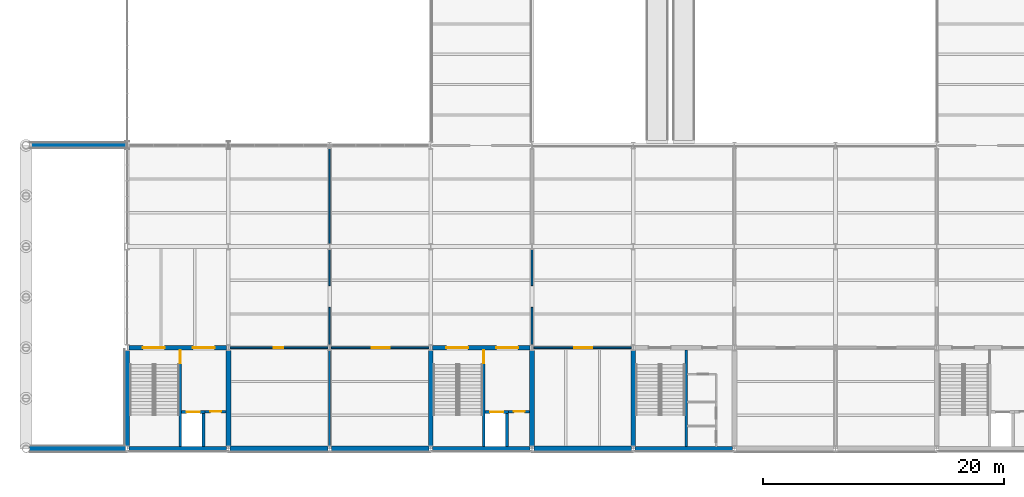
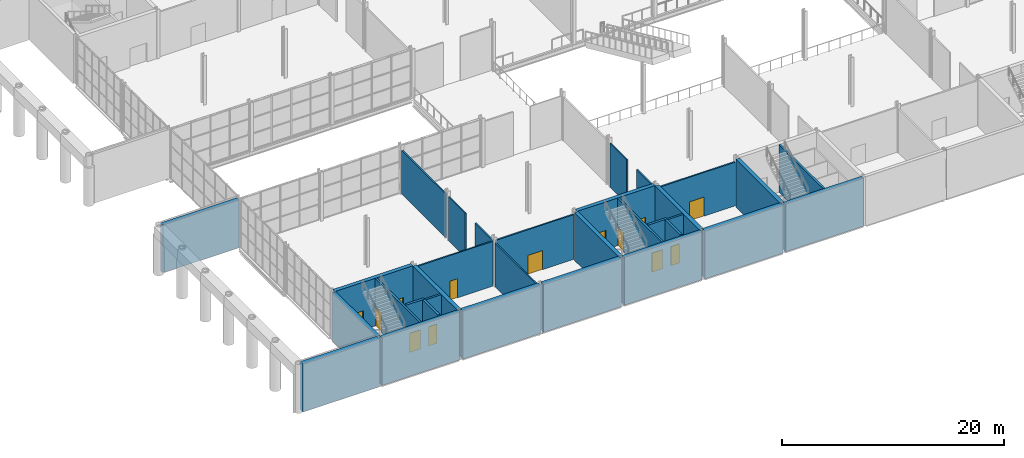
# One storey, part 39 of 64: 33 walls, 13 doors, 13 openings.
"""IFC4 building model written with IfcOpenShell, lengths in metres."""

from ifc_helpers import new_model, si_unit, direction, frame, frame_2d, origin, place, context, subcontext, project, spatial, rectangle, extrude, material, layer, layer_set, type_object, element, fill, save


model = new_model("IFC4")

# Units and contexts
model_context = context("Model", 3, precision=1e-05, world=origin(), true_north=direction((0.0, 1.0)))
body_context = subcontext(model_context, "Body", "Model", "MODEL_VIEW")
ifc_project = project(units=[si_unit("LENGTHUNIT", "METRE"), si_unit("AREAUNIT", "SQUARE_METRE"), si_unit("VOLUMEUNIT", "CUBIC_METRE"), si_unit("PLANEANGLEUNIT", "RADIAN"), si_unit("MASSUNIT", "GRAM", prefix="KILO")], contexts=[model_context])

# Site, building, storey
site_placement = place(None, origin())
site = spatial("IfcSite", under=ifc_project, at=site_placement, CompositionType="ELEMENT")
building_placement = place(site_placement, origin())
building = spatial("IfcBuilding", under=site, at=building_placement, Name="Galleria Vessillo Department Store", CompositionType="ELEMENT")
storey_placement = place(building_placement, frame((0.0, 0.0, 6.0)))
storey = spatial("IfcBuildingStorey", under=building, at=storey_placement, Name="L01", CompositionType="ELEMENT", Elevation=6.0)

# Wall, opening, door
ifc_material_1 = material(Name="Solid clay block masonry", Category="masonry")
ifc_layer_1 = layer(ifc_material_1, 0.25)
ifc_layer_set_1 = layer_set([ifc_layer_1], Name="Solid clay block masonry")
wall_type_1 = type_object("IfcWallType", Name="Lift shaft wall 250 mm", PredefinedType="SOLIDWALL", material=ifc_layer_set_1)
wall_1_placement = place(storey_placement, frame((12.89990234375, 3.074951171875, 0.0), z_axis=(0.0, 0.0, 1.0), x_axis=(1.0, 0.0, 0.0)))
wall_1 = element("IfcWall", 1, at=wall_1_placement, inside=storey, type_object=wall_type_1, Name="Lift shaft wall LP1 landing side L01", PredefinedType="SOLIDWALL", context=body_context, shape_type="SweptSolid", body=[
    extrude(rectangle(XDim=1.9501953125, YDim=0.25, at=frame_2d((0.97509765625, 0.0))), origin(), (0.0, 0.0, 1.0), 5.39990234375),
])
opening_1_placement = place(wall_1_placement, frame((0.425048828125, 0.0, 0.0)))
opening_1 = element("IfcOpeningElement", 2, at=opening_1_placement, cuts=wall_1, Name="Opening LD004", PredefinedType="OPENING", context=body_context, shape_type="SweptSolid", body=[
    extrude(rectangle(XDim=1.10009765625, YDim=2.10009765625, at=frame_2d((0.550048828125, 1.050048828125))), frame((0.0, 0.135009765625, 0.0), z_axis=(0.0, -1.0, 0.0), x_axis=(1.0, 0.0, 0.0)), (0.0, 0.0, 1.0), 0.27001953125),
])
ifc_material_2 = material(Name="Stainless steel lift door panel", Category="steel")
door_type_1 = type_object("IfcDoorType", Name="Lift landing door LD110 sliding 1100 x 2100", OperationType="SLIDING_TO_LEFT", PredefinedType="DOOR", material=ifc_material_2)
door_1_placement = place(opening_1_placement, origin())
door_1 = element("IfcDoor", 3, at=door_1_placement, inside=storey, type_object=door_type_1, Name="Lift landing door LP1 L01", OperationType="SLIDING_TO_LEFT", OverallHeight=2.10009765625, OverallWidth=1.10009765625, PredefinedType="DOOR", context=body_context, shape_type="SweptSolid", body=[
    extrude(rectangle(XDim=1.10009765625, YDim=2.10009765625, at=frame_2d((0.550048828125, 1.050048828125))), frame((0.0, 0.02490234375, 0.0), z_axis=(0.0, -1.0, 0.0), x_axis=(1.0, 0.0, 0.0)), (0.0, 0.0, 1.0), 0.050048828125),
])
fill(opening_1, door_1)

# Wall
wall_2_placement = place(storey_placement, frame((14.72509765625, 0.199951171875, 0.0), z_axis=(0.0, 0.0, 1.0), x_axis=(0.0, 1.0, 0.0)))
element("IfcWall", 4, at=wall_2_placement, inside=storey, type_object=wall_type_1, Name="Lift shaft wall LP1 L01", PredefinedType="SOLIDWALL", context=body_context, shape_type="SweptSolid", body=[
    extrude(rectangle(XDim=2.75, YDim=0.25, at=frame_2d((1.375, 0.0))), origin(), (0.0, 0.0, 1.0), 5.39990234375),
])

# Wall, opening, door
wall_3_placement = place(storey_placement, frame((38.10009765625, 3.074951171875, 0.0), z_axis=(0.0, 0.0, 1.0), x_axis=(1.0, 0.0, 0.0)))
wall_3 = element("IfcWall", 5, at=wall_3_placement, inside=storey, type_object=wall_type_1, Name="Lift shaft wall LP3 landing side L01", PredefinedType="SOLIDWALL", context=body_context, shape_type="SweptSolid", body=[
    extrude(rectangle(XDim=1.949951171875, YDim=0.25, at=frame_2d((0.97509765625, 0.0))), origin(), (0.0, 0.0, 1.0), 5.39990234375),
])
opening_2_placement = place(wall_3_placement, frame((0.4248046875, 0.0, 0.0)))
opening_2 = element("IfcOpeningElement", 6, at=opening_2_placement, cuts=wall_3, Name="Opening LD020", PredefinedType="OPENING", context=body_context, shape_type="SweptSolid", body=[
    extrude(rectangle(XDim=1.10009765625, YDim=2.10009765625, at=frame_2d((0.550048828125, 1.050048828125))), frame((0.0, 0.135009765625, 0.0), z_axis=(0.0, -1.0, 0.0), x_axis=(1.0, 0.0, 0.0)), (0.0, 0.0, 1.0), 0.27001953125),
])
door_2_placement = place(opening_2_placement, origin())
door_2 = element("IfcDoor", 7, at=door_2_placement, inside=storey, type_object=door_type_1, Name="Lift landing door LP3 L01", OperationType="SLIDING_TO_LEFT", OverallHeight=2.10009765625, OverallWidth=1.10009765625, PredefinedType="DOOR", context=body_context, shape_type="SweptSolid", body=[
    extrude(rectangle(XDim=1.10009765625, YDim=2.10009765625, at=frame_2d((0.550048828125, 1.050048828125))), frame((0.0, 0.02490234375, 0.0), z_axis=(0.0, -1.0, 0.0), x_axis=(1.0, 0.0, 0.0)), (0.0, 0.0, 1.0), 0.050048828125),
])
fill(opening_2, door_2)

# Walls
wall_4_placement = place(storey_placement, frame((39.925048828125, 0.199951171875, 0.0), z_axis=(0.0, 0.0, 1.0), x_axis=(0.0, 1.0, 0.0)))
element("IfcWall", 8, at=wall_4_placement, inside=storey, type_object=wall_type_1, Name="Lift shaft wall LP3 L01", PredefinedType="SOLIDWALL", context=body_context, shape_type="SweptSolid", body=[
    extrude(rectangle(XDim=2.75, YDim=0.25, at=frame_2d((1.375, 0.0))), origin(), (0.0, 0.0, 1.0), 5.39990234375),
])
ifc_material_3 = material(Name="Reinforced masonry, Ceppo di Gre units 80 MPa", Category="masonry")
ifc_layer_2 = layer(ifc_material_3, 0.39990234375)
ifc_layer_set_2 = layer_set([ifc_layer_2], Name="Reinforced masonry, Ceppo di Gre units 80 MPa")
wall_type_2 = type_object("IfcWallType", Name="Load-bearing Ceppo di Gre pier wall 400 mm", PredefinedType="STANDARD", material=ifc_layer_set_2)
wall_5_placement = place(storey_placement, frame((0.304931640625, 25.199951171875, 0.0), z_axis=(0.0, 0.0, 1.0), x_axis=(1.0, 0.0, 0.0)))
element("IfcWall", 9, at=wall_5_placement, inside=storey, type_object=wall_type_2, Name="Load-bearing Ceppo di Gre pier wall 400 mm PW-S-L01-01", PredefinedType="STANDARD", context=body_context, shape_type="SweptSolid", body=[
    extrude(rectangle(XDim=7.9423828125, YDim=0.39990234375, at=frame_2d((3.97119140625, 0.0))), origin(), (0.0, 0.0, 1.0), 5.25),
])

# Wall, openings, doors
ifc_material_4 = material(Name="Concrete C32/40 reinforced", Category="concrete")
ifc_layer_3 = layer(ifc_material_4, 0.39990234375)
ifc_layer_set_3 = layer_set([ifc_layer_3], Name="Concrete C32/40 reinforced")
wall_type_3 = type_object("IfcWallType", Name="Reinforced concrete core wall 400 mm", PredefinedType="SHEAR", material=ifc_layer_set_3)
wall_6_placement = place(storey_placement, frame((8.5498046875, 8.39990234375, 0.0), z_axis=(0.0, 0.0, 1.0), x_axis=(1.0, 0.0, 0.0)))
wall_6 = element("IfcWall", 10, at=wall_6_placement, inside=storey, type_object=wall_type_3, Name="S-CW-PC-SW-INTERIOR-L01", PredefinedType="SHEAR", context=body_context, shape_type="SweptSolid", body=[
    extrude(rectangle(XDim=8.100341796875, YDim=0.39990234375, at=frame_2d((4.05029296875, 0.0))), origin(), (0.0, 0.0, 1.0), 5.25),
])
opening_3_placement = place(wall_6_placement, frame((1.150146484375, 0.0, 0.0)))
opening_3 = element("IfcOpeningElement", 11, at=opening_3_placement, cuts=wall_6, Name="Opening D5015", PredefinedType="OPENING", context=body_context, shape_type="SweptSolid", body=[
    extrude(rectangle(XDim=1.800048828125, YDim=2.10009765625, at=frame_2d((0.89990234375, 1.050048828125))), frame((0.0, 0.2099609375, 0.0), z_axis=(0.0, -1.0, 0.0), x_axis=(1.0, 0.0, 0.0)), (0.0, 0.0, 1.0), 0.419921875),
])
opening_4_placement = place(wall_6_placement, frame((5.300048828125, 0.0, 0.0)))
opening_4 = element("IfcOpeningElement", 12, at=opening_4_placement, cuts=wall_6, Name="Opening D5016", PredefinedType="OPENING", context=body_context, shape_type="SweptSolid", body=[
    extrude(rectangle(XDim=1.800048828125, YDim=2.10009765625, at=frame_2d((0.89990234375, 1.050048828125))), frame((0.0, 0.2099609375, 0.0), z_axis=(0.0, -1.0, 0.0), x_axis=(1.0, 0.0, 0.0)), (0.0, 0.0, 1.0), 0.419921875),
])
ifc_material_5 = material(Name="Fire-rated steel door leaf", Category="steel")
door_type_2 = type_object("IfcDoorType", Name="Door D180F double leaf 1800 x 2100", OperationType="DOUBLE_DOOR_SINGLE_SWING", PredefinedType="DOOR", material=ifc_material_5)
door_3_placement = place(opening_3_placement, frame((1.800048828125, 0.0, 0.0), z_axis=(0.0, 0.0, 1.0), x_axis=(-1.0, 0.0, 0.0)))
door_3 = element("IfcDoor", 13, at=door_3_placement, inside=storey, type_object=door_type_2, Name="Lobby door PC-SW-ST-FLOOR L01", OperationType="DOUBLE_DOOR_SINGLE_SWING", OverallHeight=2.10009765625, OverallWidth=1.800048828125, PredefinedType="DOOR", context=body_context, shape_type="SweptSolid", body=[
    extrude(rectangle(XDim=1.800048828125, YDim=2.10009765625, at=frame_2d((0.89990234375, 1.050048828125))), frame((0.0, 0.02490234375, 0.0), z_axis=(0.0, -1.0, 0.0), x_axis=(1.0, 0.0, 0.0)), (0.0, 0.0, 1.0), 0.050048828125),
])
fill(opening_3, door_3)
door_4_placement = place(opening_4_placement, frame((1.800048828125, 0.0, 0.0), z_axis=(0.0, 0.0, 1.0), x_axis=(-1.0, 0.0, 0.0)))
door_4 = element("IfcDoor", 14, at=door_4_placement, inside=storey, type_object=door_type_2, Name="Lobby door PC-SW-LOBBY-FLOOR L01", OperationType="DOUBLE_DOOR_SINGLE_SWING", OverallHeight=2.10009765625, OverallWidth=1.800048828125, PredefinedType="DOOR", context=body_context, shape_type="SweptSolid", body=[
    extrude(rectangle(XDim=1.800048828125, YDim=2.10009765625, at=frame_2d((0.89990234375, 1.050048828125))), frame((0.0, 0.02490234375, 0.0), z_axis=(0.0, -1.0, 0.0), x_axis=(1.0, 0.0, 0.0)), (0.0, 0.0, 1.0), 0.050048828125),
])
fill(opening_4, door_4)

# Wall
wall_7_placement = place(storey_placement, frame((16.800048828125, 0.25, 0.0), z_axis=(0.0, 0.0, 1.0), x_axis=(0.0, 1.0, 0.0)))
element("IfcWall", 15, at=wall_7_placement, inside=storey, type_object=wall_type_3, Name="S-CW-PC-SW-EAST-L01", PredefinedType="SHEAR", context=body_context, shape_type="SweptSolid", body=[
    extrude(rectangle(XDim=7.89990234375, YDim=0.39990234375, at=frame_2d((3.949951171875, 0.0))), origin(), (0.0, 0.0, 1.0), 5.25),
])

# Wall, openings, doors
wall_8_placement = place(storey_placement, frame((33.75, 8.39990234375, 0.0), z_axis=(0.0, 0.0, 1.0), x_axis=(1.0, 0.0, 0.0)))
wall_8 = element("IfcWall", 16, at=wall_8_placement, inside=storey, type_object=wall_type_3, Name="S-CW-PC-SM-INTERIOR-L01", PredefinedType="SHEAR", context=body_context, shape_type="SweptSolid", body=[
    extrude(rectangle(XDim=8.10009765625, YDim=0.39990234375, at=frame_2d((4.050048828125, 0.0))), origin(), (0.0, 0.0, 1.0), 5.25),
])
opening_5_placement = place(wall_8_placement, frame((1.14990234375, 0.0, 0.0)))
opening_5 = element("IfcOpeningElement", 17, at=opening_5_placement, cuts=wall_8, Name="Opening D5078", PredefinedType="OPENING", context=body_context, shape_type="SweptSolid", body=[
    extrude(rectangle(XDim=1.800048828125, YDim=2.10009765625, at=frame_2d((0.89990234375, 1.050048828125))), frame((0.0, 0.2099609375, 0.0), z_axis=(0.0, -1.0, 0.0), x_axis=(1.0, 0.0, 0.0)), (0.0, 0.0, 1.0), 0.419921875),
])
opening_6_placement = place(wall_8_placement, frame((5.2998046875, 0.0, 0.0)))
opening_6 = element("IfcOpeningElement", 18, at=opening_6_placement, cuts=wall_8, Name="Opening D5079", PredefinedType="OPENING", context=body_context, shape_type="SweptSolid", body=[
    extrude(rectangle(XDim=1.800048828125, YDim=2.10009765625, at=frame_2d((0.89990234375, 1.050048828125))), frame((0.0, 0.2099609375, 0.0), z_axis=(0.0, -1.0, 0.0), x_axis=(1.0, 0.0, 0.0)), (0.0, 0.0, 1.0), 0.419921875),
])
door_5_placement = place(opening_5_placement, frame((1.800048828125, 0.0, 0.0), z_axis=(0.0, 0.0, 1.0), x_axis=(-1.0, 0.0, 0.0)))
door_5 = element("IfcDoor", 19, at=door_5_placement, inside=storey, type_object=door_type_2, Name="Lobby door PC-SM-ST-FLOOR L01", OperationType="DOUBLE_DOOR_SINGLE_SWING", OverallHeight=2.10009765625, OverallWidth=1.800048828125, PredefinedType="DOOR", context=body_context, shape_type="SweptSolid", body=[
    extrude(rectangle(XDim=1.800048828125, YDim=2.10009765625, at=frame_2d((0.89990234375, 1.050048828125))), frame((0.0, 0.02490234375, 0.0), z_axis=(0.0, -1.0, 0.0), x_axis=(1.0, 0.0, 0.0)), (0.0, 0.0, 1.0), 0.050048828125),
])
fill(opening_5, door_5)
door_6_placement = place(opening_6_placement, frame((1.800048828125, 0.0, 0.0), z_axis=(0.0, 0.0, 1.0), x_axis=(-1.0, 0.0, 0.0)))
door_6 = element("IfcDoor", 20, at=door_6_placement, inside=storey, type_object=door_type_2, Name="Lobby door PC-SM-LOBBY-FLOOR L01", OperationType="DOUBLE_DOOR_SINGLE_SWING", OverallHeight=2.10009765625, OverallWidth=1.800048828125, PredefinedType="DOOR", context=body_context, shape_type="SweptSolid", body=[
    extrude(rectangle(XDim=1.800048828125, YDim=2.10009765625, at=frame_2d((0.89990234375, 1.050048828125))), frame((0.0, 0.02490234375, 0.0), z_axis=(0.0, -1.0, 0.0), x_axis=(1.0, 0.0, 0.0)), (0.0, 0.0, 1.0), 0.050048828125),
])
fill(opening_6, door_6)

# Walls
for number, where, z_axis, x_axis, name in (
    (21, (33.60009765625, 0.25, 0.0), (0.0, 0.0, 1.0), (0.0, 1.0, 0.0), "S-CW-PC-SM-WEST-L01"),
    (22, (42.0, 0.25, 0.0), (0.0, 0.0, 1.0), (0.0, 1.0, 0.0), "S-CW-PC-SM-EAST-L01"),
    (23, (50.39990234375, 0.25, 0.0), (0.0, 0.0, 1.0), (0.0, 1.0, 0.0), "S-CW-PC-SC-WEST-L01"),
):
    element("IfcWall", number, at=place(storey_placement, frame(where, z_axis=z_axis, x_axis=x_axis)), inside=storey, type_object=wall_type_3, Name=name, PredefinedType="SHEAR", context=body_context, shape_type="SweptSolid", body=[
        extrude(rectangle(XDim=7.89990234375, YDim=0.39990234375, at=frame_2d((3.949951171875, 0.0))), origin(), (0.0, 0.0, 1.0), 5.25),
    ])
ifc_material_6 = material(Name="Concrete C32/40 reinforced", Category="concrete")
ifc_layer_4 = layer(ifc_material_6, 0.39990234375)
ifc_layer_set_4 = layer_set([ifc_layer_4], Name="Concrete C32/40 reinforced")
wall_type_4 = type_object("IfcWallType", Name="Reinforced concrete core wall 400 mm, external", PredefinedType="SHEAR", material=ifc_layer_set_4)
wall_9_placement = place(storey_placement, frame((8.5498046875, 0.0, 0.0), z_axis=(0.0, 0.0, 1.0), x_axis=(1.0, 0.0, 0.0)))
element("IfcWall", 24, at=wall_9_placement, inside=storey, type_object=wall_type_4, Name="S-CW-PC-SW-PARTY-L01", PredefinedType="SHEAR", context=body_context, shape_type="SweptSolid", body=[
    extrude(rectangle(XDim=8.100341796875, YDim=0.39990234375, at=frame_2d((4.05029296875, 0.0))), origin(), (0.0, 0.0, 1.0), 5.25),
])
wall_10_placement = place(storey_placement, frame((8.39990234375, 0.25, 0.0), z_axis=(0.0, 0.0, 1.0), x_axis=(0.0, 1.0, 0.0)))
element("IfcWall", 25, at=wall_10_placement, inside=storey, type_object=wall_type_4, Name="S-CW-PC-SW-WEST-L01", PredefinedType="SHEAR", context=body_context, shape_type="SweptSolid", body=[
    extrude(rectangle(XDim=7.89990234375, YDim=0.39990234375, at=frame_2d((3.949951171875, 0.0))), origin(), (0.0, 0.0, 1.0), 5.25),
])
wall_11_placement = place(storey_placement, frame((33.75, 0.0, 0.0), z_axis=(0.0, 0.0, 1.0), x_axis=(1.0, 0.0, 0.0)))
element("IfcWall", 26, at=wall_11_placement, inside=storey, type_object=wall_type_4, Name="S-CW-PC-SM-PARTY-L01", PredefinedType="SHEAR", context=body_context, shape_type="SweptSolid", body=[
    extrude(rectangle(XDim=8.10009765625, YDim=0.39990234375, at=frame_2d((4.050048828125, 0.0))), origin(), (0.0, 0.0, 1.0), 5.25),
])
wall_12_placement = place(storey_placement, frame((50.5498046875, 0.0, 0.0), z_axis=(0.0, 0.0, 1.0), x_axis=(1.0, 0.0, 0.0)))
element("IfcWall", 27, at=wall_12_placement, inside=storey, type_object=wall_type_4, Name="S-CW-PC-SC-PARTY-L01", PredefinedType="SHEAR", context=body_context, shape_type="SweptSolid", body=[
    extrude(rectangle(XDim=8.100341796875, YDim=0.39990234375, at=frame_2d((4.05029296875, 0.0))), origin(), (0.0, 0.0, 1.0), 5.25),
])
ifc_material_7 = material(Name="Concrete C32/40 reinforced", Category="concrete")
ifc_layer_5 = layer(ifc_material_7, 0.5)
ifc_layer_set_5 = layer_set([ifc_layer_5], Name="Concrete C32/40 reinforced")
wall_type_5 = type_object("IfcWallType", Name="Reinforced concrete party wall 500 mm", PredefinedType="SHEAR", material=ifc_layer_set_5)
wall_13_placement = place(storey_placement, frame((0.304931640625, 0.0, 0.0), z_axis=(0.0, 0.0, 1.0), x_axis=(1.0, 0.0, 0.0)))
element("IfcWall", 28, at=wall_13_placement, inside=storey, type_object=wall_type_5, Name="S-PS-L01-01", PredefinedType="SHEAR", context=body_context, shape_type="SweptSolid", body=[
    extrude(rectangle(XDim=7.945068359375, YDim=0.5, at=frame_2d((3.97265625, 0.0))), origin(), (0.0, 0.0, 1.0), 5.25),
])
wall_14_placement = place(storey_placement, frame((16.949951171875, 0.0, 0.0), z_axis=(0.0, 0.0, 1.0), x_axis=(1.0, 0.0, 0.0)))
element("IfcWall", 29, at=wall_14_placement, inside=storey, type_object=wall_type_5, Name="S-PS-L01-02", PredefinedType="SHEAR", context=body_context, shape_type="SweptSolid", body=[
    extrude(rectangle(XDim=8.10009765625, YDim=0.5, at=frame_2d((4.050048828125, 0.0))), origin(), (0.0, 0.0, 1.0), 5.25),
])
wall_15_placement = place(storey_placement, frame((25.349853515625, 0.0, 0.0), z_axis=(0.0, 0.0, 1.0), x_axis=(1.0, 0.0, 0.0)))
element("IfcWall", 30, at=wall_15_placement, inside=storey, type_object=wall_type_5, Name="S-PS-L01-03", PredefinedType="SHEAR", context=body_context, shape_type="SweptSolid", body=[
    extrude(rectangle(XDim=8.100341796875, YDim=0.5, at=frame_2d((4.05029296875, 0.0))), origin(), (0.0, 0.0, 1.0), 5.25),
])
wall_16_placement = place(storey_placement, frame((42.14990234375, 0.0, 0.0), z_axis=(0.0, 0.0, 1.0), x_axis=(1.0, 0.0, 0.0)))
element("IfcWall", 31, at=wall_16_placement, inside=storey, type_object=wall_type_5, Name="S-PS-L01-04", PredefinedType="SHEAR", context=body_context, shape_type="SweptSolid", body=[
    extrude(rectangle(XDim=8.10009765625, YDim=0.5, at=frame_2d((4.050048828125, 0.0))), origin(), (0.0, 0.0, 1.0), 5.25),
])

# Wall, opening, door
ifc_material_8 = material(Name="Concrete C32/40 reinforced", Category="concrete")
ifc_layer_6 = layer(ifc_material_8, 0.199951171875)
ifc_layer_set_6 = layer_set([ifc_layer_6], Name="Concrete C32/40 reinforced")
wall_type_6 = type_object("IfcWallType", Name="Reinforced concrete stair enclosure wall 200 mm", PredefinedType="SHEAR", material=ifc_layer_set_6)
wall_17_placement = place(storey_placement, frame((12.7998046875, 0.199951171875, 0.0), z_axis=(0.0, 0.0, 1.0), x_axis=(0.0, 1.0, 0.0)))
wall_17 = element("IfcWall", 32, at=wall_17_placement, inside=storey, type_object=wall_type_6, Name="Stair enclosure wall PC-SW L01", PredefinedType="SHEAR", context=body_context, shape_type="SweptSolid", body=[
    extrude(rectangle(XDim=8.0, YDim=0.199951171875, at=frame_2d((4.0, 0.0))), origin(), (0.0, 0.0, 1.0), 5.25),
])
opening_7_placement = place(wall_17_placement, frame((6.89990234375, 0.0, 0.0)))
opening_7 = element("IfcOpeningElement", 33, at=opening_7_placement, cuts=wall_17, Name="Opening D5013", PredefinedType="OPENING", context=body_context, shape_type="SweptSolid", body=[
    extrude(rectangle(XDim=1.11009765625, YDim=2.10009765625, at=frame_2d((0.554931640625, 1.050048828125))), frame((0.0, 0.10986328125, 0.0), z_axis=(0.0, -1.0, 0.0), x_axis=(1.0, 0.0, 0.0)), (0.0, 0.0, 1.0), 0.219970703125),
])
ifc_material_9 = material(Name="Fire-rated steel door leaf", Category="steel")
door_type_3 = type_object("IfcDoorType", Name="Door D110F stair door 1100 x 2100", OperationType="SINGLE_SWING_LEFT", PredefinedType="DOOR", material=ifc_material_9)
door_7_placement = place(opening_7_placement, origin())
door_7 = element("IfcDoor", 34, at=door_7_placement, inside=storey, type_object=door_type_3, Name="Stair door PC-SW-ST-LOBBY L01", OperationType="SINGLE_SWING_RIGHT", OverallHeight=2.10009765625, OverallWidth=1.10009765625, PredefinedType="DOOR", context=body_context, shape_type="SweptSolid", body=[
    extrude(rectangle(XDim=1.10009765625, YDim=2.10009765625, at=frame_2d((0.550048828125, 1.050048828125))), frame((0.0, 0.02490234375, 0.0), z_axis=(0.0, -1.0, 0.0), x_axis=(1.0, 0.0, 0.0)), (0.0, 0.0, 1.0), 0.050048828125),
])
fill(opening_7, door_7)

wall_18_placement = place(storey_placement, frame((38.0, 0.199951171875, 0.0), z_axis=(0.0, 0.0, 1.0), x_axis=(0.0, 1.0, 0.0)))
wall_18 = element("IfcWall", 35, at=wall_18_placement, inside=storey, type_object=wall_type_6, Name="Stair enclosure wall PC-SM L01", PredefinedType="SHEAR", context=body_context, shape_type="SweptSolid", body=[
    extrude(rectangle(XDim=8.0, YDim=0.199951171875, at=frame_2d((4.0, 0.0))), origin(), (0.0, 0.0, 1.0), 5.25),
])
opening_8_placement = place(wall_18_placement, frame((6.89990234375, 0.0, 0.0)))
opening_8 = element("IfcOpeningElement", 36, at=opening_8_placement, cuts=wall_18, Name="Opening D5076", PredefinedType="OPENING", context=body_context, shape_type="SweptSolid", body=[
    extrude(rectangle(XDim=1.11009765625, YDim=2.10009765625, at=frame_2d((0.554931640625, 1.050048828125))), frame((0.0, 0.10986328125, 0.0), z_axis=(0.0, -1.0, 0.0), x_axis=(1.0, 0.0, 0.0)), (0.0, 0.0, 1.0), 0.219970703125),
])
door_8_placement = place(opening_8_placement, origin())
door_8 = element("IfcDoor", 37, at=door_8_placement, inside=storey, type_object=door_type_3, Name="Stair door PC-SM-ST-LOBBY L01", OperationType="SINGLE_SWING_RIGHT", OverallHeight=2.10009765625, OverallWidth=1.10009765625, PredefinedType="DOOR", context=body_context, shape_type="SweptSolid", body=[
    extrude(rectangle(XDim=1.10009765625, YDim=2.10009765625, at=frame_2d((0.550048828125, 1.050048828125))), frame((0.0, 0.02490234375, 0.0), z_axis=(0.0, -1.0, 0.0), x_axis=(1.0, 0.0, 0.0)), (0.0, 0.0, 1.0), 0.050048828125),
])
fill(opening_8, door_8)

# Wall
wall_19_placement = place(storey_placement, frame((54.7998046875, 0.199951171875, 0.0), z_axis=(0.0, 0.0, 1.0), x_axis=(0.0, 1.0, 0.0)))
element("IfcWall", 38, at=wall_19_placement, inside=storey, type_object=wall_type_6, Name="Stair enclosure wall PC-SC L01", PredefinedType="SHEAR", context=body_context, shape_type="SweptSolid", body=[
    extrude(rectangle(XDim=8.0, YDim=0.199951171875, at=frame_2d((4.0, 0.0))), origin(), (0.0, 0.0, 1.0), 5.25),
])

# Wall, opening, door
ifc_material_10 = material(Name="Hollow clay block masonry", Category="masonry")
ifc_layer_7 = layer(ifc_material_10, 0.199951171875)
ifc_layer_set_7 = layer_set([ifc_layer_7], Name="Hollow clay block masonry")
wall_type_7 = type_object("IfcWallType", Name="Riser and service room wall 200 mm", PredefinedType="PARTITIONING", material=ifc_layer_set_7)
wall_20_placement = place(storey_placement, frame((14.85009765625, 3.099853515625, 0.0), z_axis=(0.0, 0.0, 1.0), x_axis=(1.0, 0.0, 0.0)))
wall_20 = element("IfcWall", 39, at=wall_20_placement, inside=storey, type_object=wall_type_7, Name="Riser wall PC-SW-RISER L01", PredefinedType="PARTITIONING", context=body_context, shape_type="SweptSolid", body=[
    extrude(rectangle(XDim=1.75, YDim=0.199951171875, at=frame_2d((0.875, 0.0))), origin(), (0.0, 0.0, 1.0), 5.25),
])
opening_9_placement = place(wall_20_placement, frame((0.449951171875, 0.0, 0.0)))
opening_9 = element("IfcOpeningElement", 40, at=opening_9_placement, cuts=wall_20, Name="Opening D5014", PredefinedType="OPENING", context=body_context, shape_type="SweptSolid", body=[
    extrude(rectangle(XDim=0.89990234375, YDim=2.10009765625, at=frame_2d((0.449951171875, 1.050048828125))), frame((0.0, 0.10986328125, 0.0), z_axis=(0.0, -1.0, 0.0), x_axis=(1.0, 0.0, 0.0)), (0.0, 0.0, 1.0), 0.219970703125),
])
ifc_material_11 = material(Name="Fire-rated steel door leaf", Category="steel")
door_type_4 = type_object("IfcDoorType", Name="Door DR90 riser access 900 x 2100", OperationType="SINGLE_SWING_LEFT", PredefinedType="DOOR", material=ifc_material_11)
door_9_placement = place(opening_9_placement, frame((0.89990234375, 0.0, 0.0), z_axis=(0.0, 0.0, 1.0), x_axis=(-1.0, 0.0, 0.0)))
door_9 = element("IfcDoor", 41, at=door_9_placement, inside=storey, type_object=door_type_4, Name="Riser door PC-SW-RISER-D L01", OperationType="SINGLE_SWING_LEFT", OverallHeight=2.10009765625, OverallWidth=0.89990234375, PredefinedType="DOOR", context=body_context, shape_type="SweptSolid", body=[
    extrude(rectangle(XDim=0.89990234375, YDim=2.10009765625, at=frame_2d((0.449951171875, 1.050048828125))), frame((0.0, 0.02490234375, 0.0), z_axis=(0.0, -1.0, 0.0), x_axis=(1.0, 0.0, 0.0)), (0.0, 0.0, 1.0), 0.050048828125),
])
fill(opening_9, door_9)

wall_21_placement = place(storey_placement, frame((40.050048828125, 3.099853515625, 0.0), z_axis=(0.0, 0.0, 1.0), x_axis=(1.0, 0.0, 0.0)))
wall_21 = element("IfcWall", 42, at=wall_21_placement, inside=storey, type_object=wall_type_7, Name="Riser wall PC-SM-RISER L01", PredefinedType="PARTITIONING", context=body_context, shape_type="SweptSolid", body=[
    extrude(rectangle(XDim=1.75, YDim=0.199951171875, at=frame_2d((0.875, 0.0))), origin(), (0.0, 0.0, 1.0), 5.25),
])
opening_10_placement = place(wall_21_placement, frame((0.449951171875, 0.0, 0.0)))
opening_10 = element("IfcOpeningElement", 43, at=opening_10_placement, cuts=wall_21, Name="Opening D5077", PredefinedType="OPENING", context=body_context, shape_type="SweptSolid", body=[
    extrude(rectangle(XDim=0.89990234375, YDim=2.10009765625, at=frame_2d((0.449951171875, 1.050048828125))), frame((0.0, 0.10986328125, 0.0), z_axis=(0.0, -1.0, 0.0), x_axis=(1.0, 0.0, 0.0)), (0.0, 0.0, 1.0), 0.219970703125),
])
door_10_placement = place(opening_10_placement, frame((0.89990234375, 0.0, 0.0), z_axis=(0.0, 0.0, 1.0), x_axis=(-1.0, 0.0, 0.0)))
door_10 = element("IfcDoor", 44, at=door_10_placement, inside=storey, type_object=door_type_4, Name="Riser door PC-SM-RISER-D L01", OperationType="SINGLE_SWING_LEFT", OverallHeight=2.10009765625, OverallWidth=0.89990234375, PredefinedType="DOOR", context=body_context, shape_type="SweptSolid", body=[
    extrude(rectangle(XDim=0.89990234375, YDim=2.10009765625, at=frame_2d((0.449951171875, 1.050048828125))), frame((0.0, 0.02490234375, 0.0), z_axis=(0.0, -1.0, 0.0), x_axis=(1.0, 0.0, 0.0)), (0.0, 0.0, 1.0), 0.050048828125),
])
fill(opening_10, door_10)

# Walls
ifc_material_12 = material(Name="Gypsum board partition")
ifc_layer_8 = layer(ifc_material_12, 0.139892578125)
ifc_layer_set_8 = layer_set([ifc_layer_8], Name="Gypsum board partition")
wall_type_8 = type_object("IfcWallType", Name="Sales dividing wall 140 mm", PredefinedType="PARTITIONING", material=ifc_layer_set_8)
wall_22_placement = place(storey_placement, frame((25.199951171875, 8.64990234375, 0.0), z_axis=(0.0, 0.0, 1.0), x_axis=(0.0, 1.0, 0.0)))
element("IfcWall", 45, at=wall_22_placement, inside=storey, type_object=wall_type_8, Name="Partition wall PT3 on L01 no. 033", PredefinedType="PARTITIONING", context=body_context, shape_type="SweptSolid", body=[
    extrude(rectangle(XDim=3.10009765625, YDim=0.139892578125, at=frame_2d((1.550048828125, 0.0))), origin(), (0.0, 0.0, 1.0), 4.81005859375),
])
wall_23_placement = place(storey_placement, frame((25.199951171875, 13.5498046875, 0.0), z_axis=(0.0, 0.0, 1.0), x_axis=(0.0, 1.0, 0.0)))
element("IfcWall", 46, at=wall_23_placement, inside=storey, type_object=wall_type_8, Name="Partition wall PT3 on L01 no. 034", PredefinedType="PARTITIONING", context=body_context, shape_type="SweptSolid", body=[
    extrude(rectangle(XDim=3.000244140625, YDim=0.139892578125, at=frame_2d((1.5, 0.0))), origin(), (0.0, 0.0, 1.0), 4.81005859375),
])
wall_24_placement = place(storey_placement, frame((25.199951171875, 17.050048828125, 0.0), z_axis=(0.0, 0.0, 1.0), x_axis=(0.0, 1.0, 0.0)))
element("IfcWall", 47, at=wall_24_placement, inside=storey, type_object=wall_type_8, Name="Partition wall PT3 on L01 no. 035", PredefinedType="PARTITIONING", context=body_context, shape_type="SweptSolid", body=[
    extrude(rectangle(XDim=7.887939453125, YDim=0.139892578125, at=frame_2d((3.94384765625, 0.0))), origin(), (0.0, 0.0, 1.0), 4.81005859375),
])
wall_25_placement = place(storey_placement, frame((42.0, 8.64990234375, 0.0), z_axis=(0.0, 0.0, 1.0), x_axis=(0.0, 1.0, 0.0)))
element("IfcWall", 48, at=wall_25_placement, inside=storey, type_object=wall_type_8, Name="Partition wall PT3 on L01 no. 036", PredefinedType="PARTITIONING", context=body_context, shape_type="SweptSolid", body=[
    extrude(rectangle(XDim=3.10009765625, YDim=0.139892578125, at=frame_2d((1.550048828125, 0.0))), origin(), (0.0, 0.0, 1.0), 4.81005859375),
])
wall_26_placement = place(storey_placement, frame((42.0, 13.5498046875, 0.0), z_axis=(0.0, 0.0, 1.0), x_axis=(0.0, 1.0, 0.0)))
element("IfcWall", 49, at=wall_26_placement, inside=storey, type_object=wall_type_8, Name="Partition wall PT3 on L01 no. 037", PredefinedType="PARTITIONING", context=body_context, shape_type="SweptSolid", body=[
    extrude(rectangle(XDim=3.000244140625, YDim=0.139892578125, at=frame_2d((1.5, 0.0))), origin(), (0.0, 0.0, 1.0), 4.81005859375),
])
ifc_material_13 = material(Name="Concrete blockwork", Category="masonry")
ifc_layer_9 = layer(ifc_material_13, 0.14990234375)
ifc_layer_set_9 = layer_set([ifc_layer_9], Name="Concrete blockwork")
wall_type_9 = type_object("IfcWallType", Name="Stockroom blockwork wall 150 mm", PredefinedType="SOLIDWALL", material=ifc_layer_set_9)
wall_27_placement = place(storey_placement, frame((25.199951171875, 0.25, 0.0), z_axis=(0.0, 0.0, 1.0), x_axis=(0.0, 1.0, 0.0)))
element("IfcWall", 50, at=wall_27_placement, inside=storey, type_object=wall_type_9, Name="Partition wall PT4 on L01 no. 013", PredefinedType="SOLIDWALL", context=body_context, shape_type="SweptSolid", body=[
    extrude(rectangle(XDim=7.89990234375, YDim=0.14990234375, at=frame_2d((3.949951171875, 0.0))), origin(), (0.0, 0.0, 1.0), 4.81005859375),
])

# Wall, opening, door
wall_28_placement = place(storey_placement, frame((16.949951171875, 8.39990234375, 0.0), z_axis=(0.0, 0.0, 1.0), x_axis=(1.0, 0.0, 0.0)))
wall_28 = element("IfcWall", 51, at=wall_28_placement, inside=storey, type_object=wall_type_9, Name="Partition wall PT4 on L01 no. 014", PredefinedType="SOLIDWALL", context=body_context, shape_type="SweptSolid", body=[
    extrude(rectangle(XDim=8.10009765625, YDim=0.14990234375, at=frame_2d((4.050048828125, 0.0))), origin(), (0.0, 0.0, 1.0), 4.919921875),
])
opening_11_placement = place(wall_28_placement, frame((3.60009765625, 0.0, 0.0)))
opening_11 = element("IfcOpeningElement", 52, at=opening_11_placement, cuts=wall_28, Name="Opening D2307", PredefinedType="OPENING", context=body_context, shape_type="SweptSolid", body=[
    extrude(rectangle(XDim=0.800048828125, YDim=2.10009765625, at=frame_2d((0.39990234375, 1.050048828125))), frame((0.0, 0.0849609375, 0.0), z_axis=(0.0, -1.0, 0.0), x_axis=(1.0, 0.0, 0.0)), (0.0, 0.0, 1.0), 0.169921875),
])
ifc_material_14 = material(Name="Steel fire door leaf", Category="steel")
door_type_5 = type_object("IfcDoorType", Name="Fire door 800 staff door", OperationType="SINGLE_SWING_LEFT", PredefinedType="DOOR", material=ifc_material_14)
door_11_placement = place(opening_11_placement, frame((0.800048828125, 0.0, 0.0), z_axis=(0.0, 0.0, 1.0), x_axis=(-1.0, 0.0, 0.0)))
door_11 = element("IfcDoor", 53, at=door_11_placement, inside=storey, type_object=door_type_5, Name="Door D2307", OperationType="SINGLE_SWING_RIGHT", OverallHeight=2.10009765625, OverallWidth=0.800048828125, PredefinedType="DOOR", context=body_context, shape_type="SweptSolid", body=[
    extrude(rectangle(XDim=0.800048828125, YDim=2.10009765625, at=frame_2d((0.39990234375, 1.050048828125))), frame((0.0, 0.02490234375, 0.0), z_axis=(0.0, -1.0, 0.0), x_axis=(1.0, 0.0, 0.0)), (0.0, 0.0, 1.0), 0.050048828125),
])
fill(opening_11, door_11)

wall_29_placement = place(storey_placement, frame((25.349853515625, 8.39990234375, 0.0), z_axis=(0.0, 0.0, 1.0), x_axis=(1.0, 0.0, 0.0)))
wall_29 = element("IfcWall", 54, at=wall_29_placement, inside=storey, type_object=wall_type_9, Name="Partition wall PT4 on L01 no. 015", PredefinedType="SOLIDWALL", context=body_context, shape_type="SweptSolid", body=[
    extrude(rectangle(XDim=8.100341796875, YDim=0.14990234375, at=frame_2d((4.05029296875, 0.0))), origin(), (0.0, 0.0, 1.0), 4.919921875),
])
opening_12_placement = place(wall_29_placement, frame((3.35009765625, 0.0, 0.0)))
opening_12 = element("IfcOpeningElement", 55, at=opening_12_placement, cuts=wall_29, Name="Opening D2308", PredefinedType="OPENING", context=body_context, shape_type="SweptSolid", body=[
    extrude(rectangle(XDim=1.5, YDim=2.10009765625, at=frame_2d((0.75, 1.050048828125))), frame((0.0, 0.0849609375, 0.0), z_axis=(0.0, -1.0, 0.0), x_axis=(1.0, 0.0, 0.0)), (0.0, 0.0, 1.0), 0.169921875),
])
ifc_material_15 = material(Name="Steel fire door leaf", Category="steel")
door_type_6 = type_object("IfcDoorType", Name="Stockroom fire door 1500 double leaf", OperationType="DOUBLE_DOOR_SINGLE_SWING", PredefinedType="DOOR", material=ifc_material_15)
door_12_placement = place(opening_12_placement, frame((1.5, 0.0, 0.0), z_axis=(0.0, 0.0, 1.0), x_axis=(-1.0, 0.0, 0.0)))
door_12 = element("IfcDoor", 56, at=door_12_placement, inside=storey, type_object=door_type_6, Name="Door D2308", OperationType="DOUBLE_DOOR_SINGLE_SWING", OverallHeight=2.10009765625, OverallWidth=1.5, PredefinedType="DOOR", context=body_context, shape_type="SweptSolid", body=[
    extrude(rectangle(XDim=1.5, YDim=2.10009765625, at=frame_2d((0.75, 1.050048828125))), frame((0.0, 0.02490234375, 0.0), z_axis=(0.0, -1.0, 0.0), x_axis=(1.0, 0.0, 0.0)), (0.0, 0.0, 1.0), 0.050048828125),
])
fill(opening_12, door_12)

wall_30_placement = place(storey_placement, frame((42.14990234375, 8.39990234375, 0.0), z_axis=(0.0, 0.0, 1.0), x_axis=(1.0, 0.0, 0.0)))
wall_30 = element("IfcWall", 57, at=wall_30_placement, inside=storey, type_object=wall_type_9, Name="Partition wall PT4 on L01 no. 016", PredefinedType="SOLIDWALL", context=body_context, shape_type="SweptSolid", body=[
    extrude(rectangle(XDim=8.10009765625, YDim=0.14990234375, at=frame_2d((4.050048828125, 0.0))), origin(), (0.0, 0.0, 1.0), 4.81005859375),
])
opening_13_placement = place(wall_30_placement, frame((3.35009765625, 0.0, 0.0)))
opening_13 = element("IfcOpeningElement", 58, at=opening_13_placement, cuts=wall_30, Name="Opening D2309", PredefinedType="OPENING", context=body_context, shape_type="SweptSolid", body=[
    extrude(rectangle(XDim=1.5, YDim=2.10009765625, at=frame_2d((0.75, 1.050048828125))), frame((0.0, 0.0849609375, 0.0), z_axis=(0.0, -1.0, 0.0), x_axis=(1.0, 0.0, 0.0)), (0.0, 0.0, 1.0), 0.169921875),
])
door_13_placement = place(opening_13_placement, frame((1.5, 0.0, 0.0), z_axis=(0.0, 0.0, 1.0), x_axis=(-1.0, 0.0, 0.0)))
door_13 = element("IfcDoor", 59, at=door_13_placement, inside=storey, type_object=door_type_6, Name="Door D2309", OperationType="DOUBLE_DOOR_SINGLE_SWING", OverallHeight=2.10009765625, OverallWidth=1.5, PredefinedType="DOOR", context=body_context, shape_type="SweptSolid", body=[
    extrude(rectangle(XDim=1.5, YDim=2.10009765625, at=frame_2d((0.75, 1.050048828125))), frame((0.0, 0.02490234375, 0.0), z_axis=(0.0, -1.0, 0.0), x_axis=(1.0, 0.0, 0.0)), (0.0, 0.0, 1.0), 0.050048828125),
])
fill(opening_13, door_13)

save(model, "model.ifc")
